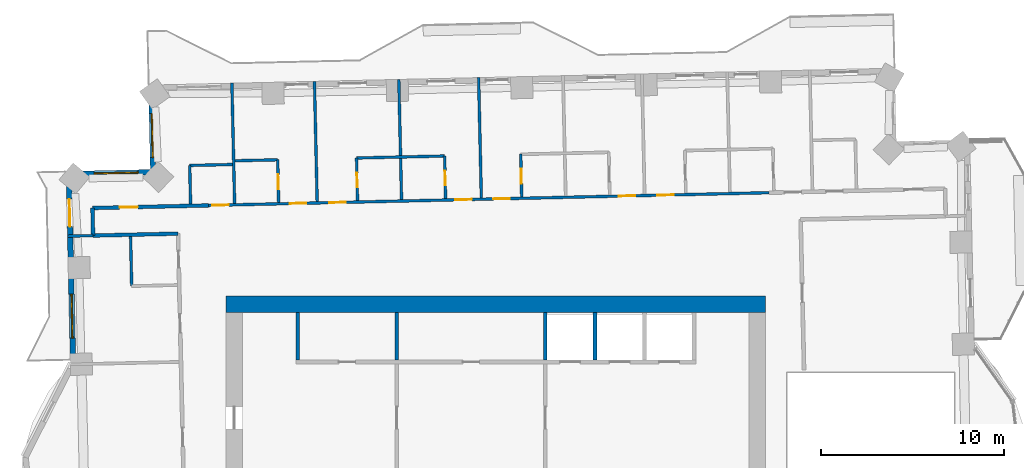
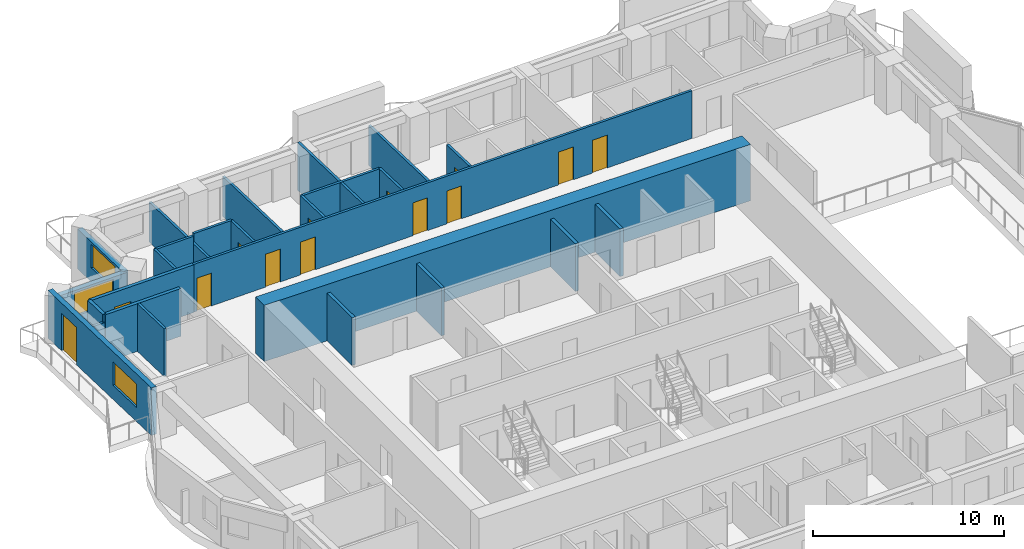
# One storey, part 10 of 16: 26 walls, 13 doors, 3 windows, 16 openings.
"""IFC4 building model written with IfcOpenShell, lengths in metres."""

from ifc_helpers import new_model, si_unit, direction, frame, frame_2d, origin, place, context, subcontext, project, spatial, rectangle, extrude, material, layer, layer_set, type_object, element, fill, save


model = new_model("IFC4")

# Units and contexts
model_context = context("Model", 3, precision=1e-05, world=origin(), true_north=direction((0.0, 1.0)))
body_context = subcontext(model_context, "Body", "Model", "MODEL_VIEW")
ifc_project = project(units=[si_unit("LENGTHUNIT", "METRE"), si_unit("AREAUNIT", "SQUARE_METRE"), si_unit("VOLUMEUNIT", "CUBIC_METRE"), si_unit("PLANEANGLEUNIT", "RADIAN"), si_unit("MASSUNIT", "GRAM", prefix="KILO")], contexts=[model_context])

# Site, building, storey
site_placement = place(None, origin())
site = spatial("IfcSite", under=ifc_project, at=site_placement, CompositionType="ELEMENT")
building_placement = place(site_placement, origin())
building = spatial("IfcBuilding", under=site, at=building_placement, Name="Mangrove Gate Tower", CompositionType="ELEMENT")
storey_placement = place(building_placement, frame((0.0, 0.0, 178.89990234375)))
storey = spatial("IfcBuildingStorey", under=building, at=storey_placement, Name="L45", CompositionType="ELEMENT", Elevation=178.89990234375)

# Walls
ifc_material_1 = material(Name="Concrete C32/40", Category="concrete")
ifc_layer_1 = layer(ifc_material_1, 0.199951171875)
ifc_layer_set_1 = layer_set([ifc_layer_1], Name="Core room wall 200 C32/40")
wall_type_1 = type_object("IfcWallType", Name="Core room wall 200 C32/40", PredefinedType="STANDARD", material=ifc_layer_set_1)
for number, where, z_axis, x_axis, name in (
    (1, (-10.800048828125, 8.199951171875, 0.0), (0.0, 0.0, 1.0), (0.0, 1.0, 0.0), "WALL-L45-CORE-25"),
    (2, (-5.39990234375, 8.199951171875, 0.0), (0.0, 0.0, 1.0), (0.0, 1.0, 0.0), "WALL-L45-CORE-26"),
):
    element("IfcWall", number, at=place(storey_placement, frame(where, z_axis=z_axis, x_axis=x_axis)), inside=storey, type_object=wall_type_1, Name=name, PredefinedType="STANDARD", context=body_context, shape_type="SweptSolid", body=[
        extrude(rectangle(XDim=2.60009765625, YDim=0.199951171875, at=frame_2d((1.300048828125, 0.0))), origin(), (0.0, 0.0, 1.0), 3.050048828125),
    ])
ifc_material_2 = material(Name="Concrete C60/75", Category="concrete")
ifc_layer_2 = layer(ifc_material_2, 0.199951171875)
ifc_layer_set_2 = layer_set([ifc_layer_2], Name="Core shaft wall 200 C60/75")
wall_type_2 = type_object("IfcWallType", Name="Core shaft wall 200 C60/75", PredefinedType="SHEAR", material=ifc_layer_set_2)
for number, where, z_axis, x_axis, name in (
    (3, (2.699951171875, 8.199951171875, 0.0), (0.0, 0.0, 1.0), (0.0, 1.0, 0.0), "WALL-L45-CORE-27"),
    (4, (5.39990234375, 8.199951171875, 0.0), (0.0, 0.0, 1.0), (0.0, 1.0, 0.0), "WALL-L45-CORE-28"),
):
    element("IfcWall", number, at=place(storey_placement, frame(where, z_axis=z_axis, x_axis=x_axis)), inside=storey, type_object=wall_type_2, Name=name, PredefinedType="SHEAR", context=body_context, shape_type="SweptSolid", body=[
        extrude(rectangle(XDim=2.60009765625, YDim=0.199951171875, at=frame_2d((1.300048828125, 0.0))), origin(), (0.0, 0.0, 1.0), 3.050048828125),
    ])
ifc_material_3 = material(Name="Concrete C60/75", Category="concrete")
ifc_layer_3 = layer(ifc_material_3, 0.89990234375)
ifc_layer_set_3 = layer_set([ifc_layer_3], Name="Core wall 900 C60/75")
wall_type_3 = type_object("IfcWallType", Name="Core wall 900 C60/75", PredefinedType="SHEAR", material=ifc_layer_set_3)
wall_1_placement = place(storey_placement, frame((-14.699951171875, 11.25, 0.0), z_axis=(0.0, 0.0, 1.0), x_axis=(1.0, 0.0, 0.0)))
element("IfcWall", 5, at=wall_1_placement, inside=storey, type_object=wall_type_3, Name="WALL-L45-CORE-2", PredefinedType="SHEAR", context=body_context, shape_type="SweptSolid", body=[
    extrude(rectangle(XDim=29.39990234375, YDim=0.89990234375, at=frame_2d((14.699951171875, 0.0))), origin(), (0.0, 0.0, 1.0), 3.60009765625),
])
ifc_material_4 = material(Name="Gypsum board on steel stud, EI 60", Category="steel")
ifc_layer_4 = layer(ifc_material_4, 0.199951171875)
ifc_layer_set_4 = layer_set([ifc_layer_4], Name="Corridor wall EI 60")
wall_type_4 = type_object("IfcWallType", Name="Corridor wall EI 60", PredefinedType="PARTITIONING", material=ifc_layer_set_4)
wall_2_placement = place(storey_placement, frame((-21.948974609375, 14.989013671875, 0.0), z_axis=(0.0, 0.0, 1.0), x_axis=(0.999743491588, 0.022648422179, 0.0)))
element("IfcWall", 6, at=wall_2_placement, inside=storey, type_object=wall_type_4, Name="WALL-L45-043", PredefinedType="PARTITIONING", context=body_context, shape_type="SweptSolid", body=[
    extrude(rectangle(XDim=4.63525390625, YDim=0.199951171875, at=frame_2d((2.317626953125, 0.0))), origin(), (0.0, 0.0, 1.0), 3.050048828125),
])
wall_3_placement = place(storey_placement, frame((-21.948974609375, 14.992919921875, 0.0), z_axis=(0.0, 0.0, 1.0), x_axis=(-0.022617910375, 0.999744182344, 0.0)))
element("IfcWall", 7, at=wall_3_placement, inside=storey, type_object=wall_type_4, Name="WALL-L45-046", PredefinedType="PARTITIONING", context=body_context, shape_type="SweptSolid", body=[
    extrude(rectangle(XDim=1.50048828125, YDim=0.199951171875, at=frame_2d((0.750244140625, 0.0))), origin(), (0.0, 0.0, 1.0), 3.050048828125),
])

# Wall, opening, door
wall_4_placement = place(storey_placement, frame((-21.98291015625, 16.489013671875, 0.0), z_axis=(0.0, 0.0, 1.0), x_axis=(0.999744930163, 0.022584831499, 0.0)))
wall_4 = element("IfcWall", 8, at=wall_4_placement, inside=storey, type_object=wall_type_4, Name="WALL-L45-048", PredefinedType="PARTITIONING", context=body_context, shape_type="SweptSolid", body=[
    extrude(rectangle(XDim=6.334716796875, YDim=0.199951171875, at=frame_2d((3.16748046875, 0.0))), origin(), (0.0, 0.0, 1.0), 3.050048828125),
])
opening_1_placement = place(wall_4_placement, frame((1.47509765625, 0.0, 0.0)))
opening_1 = element("IfcOpeningElement", 9, at=opening_1_placement, cuts=wall_4, Name="Opening AD", PredefinedType="OPENING", context=body_context, shape_type="SweptSolid", body=[
    extrude(rectangle(XDim=1.0, YDim=2.10009765625, at=frame_2d((0.5, 1.050048828125))), frame((0.0, 0.10986328125, 0.0), z_axis=(0.0, -1.0, 0.0), x_axis=(1.0, 0.0, 0.0)), (0.0, 0.0, 1.0), 0.219970703125),
])
ifc_material_5 = material(Name="Timber door leaf", Category="wood")
door_type_1 = type_object("IfcDoorType", Name="Amenity door 1000", OperationType="SINGLE_SWING_LEFT", PredefinedType="DOOR", material=ifc_material_5)
door_1_placement = place(opening_1_placement, origin())
door_1 = element("IfcDoor", 10, at=door_1_placement, inside=storey, type_object=door_type_1, Name="DOOR-L45-KIT-c5a", OperationType="SINGLE_SWING_RIGHT", OverallHeight=2.10009765625, OverallWidth=1.0, PredefinedType="DOOR", context=body_context, shape_type="SweptSolid", body=[
    extrude(rectangle(XDim=1.0, YDim=2.10009765625, at=frame_2d((0.5, 1.050048828125))), frame((0.0, 0.02490234375, 0.0), z_axis=(0.0, -1.0, 0.0), x_axis=(1.0, 0.0, 0.0)), (0.0, 0.0, 1.0), 0.050048828125),
])
fill(opening_1, door_1)

# Wall, opening, window
ifc_material_6 = material(Name="Limestone", Category="masonry")
ifc_layer_5 = layer(ifc_material_6, 0.0400390625, Name="Limestone cladding")
ifc_material_7 = material(Name="Ventilated air gap")
ifc_layer_6 = layer(ifc_material_7, 0.0400390625, Name="Ventilated cavity")
ifc_material_8 = material(Name="Mineral wool insulation")
ifc_layer_7 = layer(ifc_material_8, 0.06005859375, Name="Insulation")
ifc_material_9 = material(Name="Breather membrane")
ifc_layer_8 = layer(ifc_material_9, 0.001953125, Name="Breather membrane")
ifc_material_10 = material(Name="Concrete C20/25 blockwork", Category="masonry")
ifc_layer_9 = layer(ifc_material_10, 0.14990234375, Name="Blockwork backing wall")
ifc_material_11 = material(Name="Gypsum plaster")
ifc_layer_10 = layer(ifc_material_11, 0.008056640625, Name="Internal plaster")
ifc_layer_set_5 = layer_set([ifc_layer_5, ifc_layer_6, ifc_layer_7, ifc_layer_8, ifc_layer_9, ifc_layer_10], Name="External wall 300 limestone cladding")
wall_type_5 = type_object("IfcWallType", Name="External wall 300 limestone cladding", PredefinedType="SOLIDWALL", material=ifc_layer_set_5)
wall_5_placement = place(storey_placement, frame((-18.781005859375, 23.04296875, 0.0), z_axis=(0.0, 0.0, 1.0), x_axis=(0.022821468877, -0.999739556364, 0.0)))
wall_5 = element("IfcWall", 11, at=wall_5_placement, inside=storey, type_object=wall_type_5, Name="WALL-L45-W6", PredefinedType="SOLIDWALL", context=body_context, shape_type="SweptSolid", body=[
    extrude(rectangle(XDim=4.60009765625, YDim=0.300048828125, at=frame_2d((2.300048828125, 0.0))), origin(), (0.0, 0.0, 1.0), 2.550048828125),
])
opening_2_placement = place(wall_5_placement, frame((1.403076171875, 0.0, 0.89990234375)))
opening_2 = element("IfcOpeningElement", 12, at=opening_2_placement, cuts=wall_5, Name="Opening W2", PredefinedType="OPENING", context=body_context, shape_type="SweptSolid", body=[
    extrude(rectangle(XDim=2.39990234375, YDim=1.5, at=frame_2d((1.199951171875, 0.75))), frame((0.0, 0.159912109375, 0.0), z_axis=(0.0, -1.0, 0.0), x_axis=(1.0, 0.0, 0.0)), (0.0, 0.0, 1.0), 0.320068359375),
])
ifc_material_12 = material(Name="Aluminium frame with double-glazed low-e glass", Category="aluminium")
window_type = type_object("IfcWindowType", Name="Corner room window 2400x1500", PartitioningType="DOUBLE_PANEL_VERTICAL", PredefinedType="WINDOW", material=ifc_material_12)
window_1_placement = place(opening_2_placement, origin())
window_1 = element("IfcWindow", 13, at=window_1_placement, inside=storey, type_object=window_type, Name="WIN-L45-W6-1", OverallHeight=1.5, OverallWidth=2.39990234375, PartitioningType="DOUBLE_PANEL_VERTICAL", PredefinedType="WINDOW", context=body_context, shape_type="SweptSolid", body=[
    extrude(rectangle(XDim=2.39990234375, YDim=1.5, at=frame_2d((1.199951171875, 0.75))), frame((0.0, 0.030029296875, 0.0), z_axis=(0.0, -1.0, 0.0), x_axis=(1.0, 0.0, 0.0)), (0.0, 0.0, 1.0), 0.06005859375),
])
fill(opening_2, window_1)

wall_6_placement = place(storey_placement, frame((-18.676025390625, 18.444091796875, 0.0), z_axis=(0.0, 0.0, 1.0), x_axis=(-0.999744377441, -0.022609285172, 0.0)))
wall_6 = element("IfcWall", 14, at=wall_6_placement, inside=storey, type_object=wall_type_5, Name="WALL-L45-N7", PredefinedType="SOLIDWALL", context=body_context, shape_type="SweptSolid", body=[
    extrude(rectangle(XDim=4.60009765625, YDim=0.300048828125, at=frame_2d((2.300048828125, 0.0))), origin(), (0.0, 0.0, 1.0), 2.550048828125),
])
opening_3_placement = place(wall_6_placement, frame((0.81298828125, 0.0, 0.89990234375)))
opening_3 = element("IfcOpeningElement", 15, at=opening_3_placement, cuts=wall_6, Name="Opening W2", PredefinedType="OPENING", context=body_context, shape_type="SweptSolid", body=[
    extrude(rectangle(XDim=2.39990234375, YDim=1.5, at=frame_2d((1.199951171875, 0.75))), frame((0.0, 0.159912109375, 0.0), z_axis=(0.0, -1.0, 0.0), x_axis=(1.0, 0.0, 0.0)), (0.0, 0.0, 1.0), 0.320068359375),
])
window_2_placement = place(opening_3_placement, origin())
window_2 = element("IfcWindow", 16, at=window_2_placement, inside=storey, type_object=window_type, Name="WIN-L45-N7-1", OverallHeight=1.5, OverallWidth=2.39990234375, PartitioningType="DOUBLE_PANEL_VERTICAL", PredefinedType="WINDOW", context=body_context, shape_type="SweptSolid", body=[
    extrude(rectangle(XDim=2.39990234375, YDim=1.5, at=frame_2d((1.199951171875, 0.75))), frame((0.0, 0.030029296875, 0.0), z_axis=(0.0, -1.0, 0.0), x_axis=(1.0, 0.0, 0.0)), (0.0, 0.0, 1.0), 0.06005859375),
])
fill(opening_3, window_2)

# Wall, openings, door, window
wall_7_placement = place(storey_placement, frame((-23.27490234375, 18.340087890625, 0.0), z_axis=(0.0, 0.0, 1.0), x_axis=(0.022705985163, -0.999742185885, 0.0)))
wall_7 = element("IfcWall", 17, at=wall_7_placement, inside=storey, type_object=wall_type_5, Name="WALL-L45-W8", PredefinedType="SOLIDWALL", context=body_context, shape_type="SweptSolid", body=[
    extrude(rectangle(XDim=10.4296875, YDim=0.300048828125, at=frame_2d((5.21484375, 0.0))), origin(), (0.0, 0.0, 1.0), 3.050048828125),
])
opening_4_placement = place(wall_7_placement, frame((1.35888671875, 0.0, 0.0)))
opening_4 = element("IfcOpeningElement", 18, at=opening_4_placement, cuts=wall_7, Name="Opening BD1", PredefinedType="OPENING", context=body_context, shape_type="SweptSolid", body=[
    extrude(rectangle(XDim=1.5, YDim=2.39990234375, at=frame_2d((0.75, 1.199951171875))), frame((0.0, 0.159912109375, 0.0), z_axis=(0.0, -1.0, 0.0), x_axis=(1.0, 0.0, 0.0)), (0.0, 0.0, 1.0), 0.320068359375),
])
opening_5_placement = place(wall_7_placement, frame((6.54296875, 0.0, 0.89990234375)))
opening_5 = element("IfcOpeningElement", 19, at=opening_5_placement, cuts=wall_7, Name="Opening W2", PredefinedType="OPENING", context=body_context, shape_type="SweptSolid", body=[
    extrude(rectangle(XDim=2.39990234375, YDim=1.5, at=frame_2d((1.199951171875, 0.75))), frame((0.0, 0.159912109375, 0.0), z_axis=(0.0, -1.0, 0.0), x_axis=(1.0, 0.0, 0.0)), (0.0, 0.0, 1.0), 0.320068359375),
])
ifc_material_13 = material(Name="Aluminium frame with laminated clear glass", Category="aluminium")
door_type_2 = type_object("IfcDoorType", Name="Balcony sliding door 1500x2400", OperationType="SLIDING_TO_LEFT", PredefinedType="DOOR", material=ifc_material_13)
door_2_placement = place(opening_4_placement, origin())
door_2 = element("IfcDoor", 20, at=door_2_placement, inside=storey, type_object=door_type_2, Name="DOOR-L45-W8-1", OperationType="SLIDING_TO_LEFT", OverallHeight=2.39990234375, OverallWidth=1.5, PredefinedType="DOOR", context=body_context, shape_type="SweptSolid", body=[
    extrude(rectangle(XDim=1.5, YDim=2.39990234375, at=frame_2d((0.75, 1.199951171875))), frame((0.0, 0.02490234375, 0.0), z_axis=(0.0, -1.0, 0.0), x_axis=(1.0, 0.0, 0.0)), (0.0, 0.0, 1.0), 0.050048828125),
])
fill(opening_4, door_2)
window_3_placement = place(opening_5_placement, origin())
window_3 = element("IfcWindow", 21, at=window_3_placement, inside=storey, type_object=window_type, Name="WIN-L45-W8-2", OverallHeight=1.5, OverallWidth=2.39990234375, PartitioningType="DOUBLE_PANEL_VERTICAL", PredefinedType="WINDOW", context=body_context, shape_type="SweptSolid", body=[
    extrude(rectangle(XDim=2.39990234375, YDim=1.5, at=frame_2d((1.199951171875, 0.75))), frame((0.0, 0.030029296875, 0.0), z_axis=(0.0, -1.0, 0.0), x_axis=(1.0, 0.0, 0.0)), (0.0, 0.0, 1.0), 0.06005859375),
])
fill(opening_5, window_3)

# Walls
ifc_material_14 = material(Name="Gypsum board on steel stud, EI 60", Category="steel")
ifc_layer_11 = layer(ifc_material_14, 0.14990234375)
ifc_layer_set_6 = layer_set([ifc_layer_11], Name="Party wall 150 EI 60")
wall_type_6 = type_object("IfcWallType", Name="Party wall 150 EI 60", PredefinedType="PARTITIONING", material=ifc_layer_set_6)
wall_8_placement = place(storey_placement, frame((-19.845947265625, 12.239990234375, 0.0), z_axis=(0.0, 0.0, 1.0), x_axis=(-0.02260842146, 0.999744396973, 0.0)))
element("IfcWall", 22, at=wall_8_placement, inside=storey, type_object=wall_type_6, Name="WALL-L45-041", PredefinedType="PARTITIONING", context=body_context, shape_type="SweptSolid", body=[
    extrude(rectangle(XDim=2.69970703125, YDim=0.14990234375, at=frame_2d((1.349853515625, 0.0))), origin(), (0.0, 0.0, 1.0), 3.050048828125),
])
wall_9_placement = place(storey_placement, frame((-23.347900390625, 14.95703125, 0.0), z_axis=(0.0, 0.0, 1.0), x_axis=(0.999740216184, 0.022792545827, 0.0)))
element("IfcWall", 23, at=wall_9_placement, inside=storey, type_object=wall_type_6, Name="WALL-L45-042", PredefinedType="PARTITIONING", context=body_context, shape_type="SweptSolid", body=[
    extrude(rectangle(XDim=1.403076171875, YDim=0.14990234375, at=frame_2d((0.70166015625, 0.0))), origin(), (0.0, 0.0, 1.0), 2.550048828125),
])

# Wall, openings, doors
wall_10_placement = place(storey_placement, frame((-15.64892578125, 16.633056640625, 0.0), z_axis=(0.0, 0.0, 1.0), x_axis=(0.999743261737, 0.022658565952, 0.0)))
wall_10 = element("IfcWall", 24, at=wall_10_placement, inside=storey, type_object=wall_type_6, Name="WALL-L45-049", PredefinedType="PARTITIONING", context=body_context, shape_type="SweptSolid", body=[
    extrude(rectangle(XDim=30.53564453125, YDim=0.14990234375, at=frame_2d((15.267822265625, 0.0))), origin(), (0.0, 0.0, 1.0), 3.050048828125),
])
opening_6_placement = place(wall_10_placement, frame((24.43994140625, 0.0, 0.0)))
opening_6 = element("IfcOpeningElement", 25, at=opening_6_placement, cuts=wall_10, Name="Opening BD", PredefinedType="OPENING", context=body_context, shape_type="SweptSolid", body=[
    extrude(rectangle(XDim=0.89990234375, YDim=2.10009765625, at=frame_2d((0.449951171875, 1.050048828125))), frame((0.0, 0.0849609375, 0.0), z_axis=(0.0, -1.0, 0.0), x_axis=(1.0, 0.0, 0.0)), (0.0, 0.0, 1.0), 0.169921875),
])
opening_7_placement = place(wall_10_placement, frame((22.364990234375, 0.0, 0.0)))
opening_7 = element("IfcOpeningElement", 26, at=opening_7_placement, cuts=wall_10, Name="Opening BD", PredefinedType="OPENING", context=body_context, shape_type="SweptSolid", body=[
    extrude(rectangle(XDim=0.89990234375, YDim=2.10009765625, at=frame_2d((0.449951171875, 1.050048828125))), frame((0.0, 0.0849609375, 0.0), z_axis=(0.0, -1.0, 0.0), x_axis=(1.0, 0.0, 0.0)), (0.0, 0.0, 1.0), 0.169921875),
])
opening_8_placement = place(wall_10_placement, frame((15.514892578125, 0.0, 0.0)))
opening_8 = element("IfcOpeningElement", 27, at=opening_8_placement, cuts=wall_10, Name="Opening BD", PredefinedType="OPENING", context=body_context, shape_type="SweptSolid", body=[
    extrude(rectangle(XDim=0.89990234375, YDim=2.10009765625, at=frame_2d((0.449951171875, 1.050048828125))), frame((0.0, 0.0849609375, 0.0), z_axis=(0.0, -1.0, 0.0), x_axis=(1.0, 0.0, 0.0)), (0.0, 0.0, 1.0), 0.169921875),
])
opening_9_placement = place(wall_10_placement, frame((13.43994140625, 0.0, 0.0)))
opening_9 = element("IfcOpeningElement", 28, at=opening_9_placement, cuts=wall_10, Name="Opening BD", PredefinedType="OPENING", context=body_context, shape_type="SweptSolid", body=[
    extrude(rectangle(XDim=0.89990234375, YDim=2.10009765625, at=frame_2d((0.449951171875, 1.050048828125))), frame((0.0, 0.0849609375, 0.0), z_axis=(0.0, -1.0, 0.0), x_axis=(1.0, 0.0, 0.0)), (0.0, 0.0, 1.0), 0.169921875),
])
opening_10_placement = place(wall_10_placement, frame((6.56494140625, 0.0, 0.0)))
opening_10 = element("IfcOpeningElement", 29, at=opening_10_placement, cuts=wall_10, Name="Opening BD", PredefinedType="OPENING", context=body_context, shape_type="SweptSolid", body=[
    extrude(rectangle(XDim=0.89990234375, YDim=2.10009765625, at=frame_2d((0.449951171875, 1.050048828125))), frame((0.0, 0.0849609375, 0.0), z_axis=(0.0, -1.0, 0.0), x_axis=(1.0, 0.0, 0.0)), (0.0, 0.0, 1.0), 0.169921875),
])
opening_11_placement = place(wall_10_placement, frame((4.4150390625, 0.0, 0.0)))
opening_11 = element("IfcOpeningElement", 30, at=opening_11_placement, cuts=wall_10, Name="Opening BD", PredefinedType="OPENING", context=body_context, shape_type="SweptSolid", body=[
    extrude(rectangle(XDim=0.89990234375, YDim=2.10009765625, at=frame_2d((0.449951171875, 1.050048828125))), frame((0.0, 0.0849609375, 0.0), z_axis=(0.0, -1.0, 0.0), x_axis=(1.0, 0.0, 0.0)), (0.0, 0.0, 1.0), 0.169921875),
])
opening_12_placement = place(wall_10_placement, frame((0.199951171875, 0.0, 0.0)))
opening_12 = element("IfcOpeningElement", 31, at=opening_12_placement, cuts=wall_10, Name="Opening SD", PredefinedType="OPENING", context=body_context, shape_type="SweptSolid", body=[
    extrude(rectangle(XDim=0.89990234375, YDim=2.10009765625, at=frame_2d((0.449951171875, 1.050048828125))), frame((0.0, 0.0849609375, 0.0), z_axis=(0.0, -1.0, 0.0), x_axis=(1.0, 0.0, 0.0)), (0.0, 0.0, 1.0), 0.169921875),
])
ifc_material_15 = material(Name="Timber door leaf", Category="wood")
door_type_3 = type_object("IfcDoorType", Name="Bedroom door 900", OperationType="SINGLE_SWING_LEFT", PredefinedType="DOOR", material=ifc_material_15)
door_3_placement = place(opening_6_placement, origin())
door_3 = element("IfcDoor", 32, at=door_3_placement, inside=storey, type_object=door_type_3, Name="DOOR-L45-BED-c309", OperationType="SINGLE_SWING_LEFT", OverallHeight=2.10009765625, OverallWidth=0.89990234375, PredefinedType="DOOR", context=body_context, shape_type="SweptSolid", body=[
    extrude(rectangle(XDim=0.89990234375, YDim=2.10009765625, at=frame_2d((0.449951171875, 1.050048828125))), frame((0.0, 0.02490234375, 0.0), z_axis=(0.0, -1.0, 0.0), x_axis=(1.0, 0.0, 0.0)), (0.0, 0.0, 1.0), 0.050048828125),
])
fill(opening_6, door_3)
door_4_placement = place(opening_7_placement, origin())
door_4 = element("IfcDoor", 33, at=door_4_placement, inside=storey, type_object=door_type_3, Name="DOOR-L45-BED-c410", OperationType="SINGLE_SWING_RIGHT", OverallHeight=2.10009765625, OverallWidth=0.89990234375, PredefinedType="DOOR", context=body_context, shape_type="SweptSolid", body=[
    extrude(rectangle(XDim=0.89990234375, YDim=2.10009765625, at=frame_2d((0.449951171875, 1.050048828125))), frame((0.0, 0.02490234375, 0.0), z_axis=(0.0, -1.0, 0.0), x_axis=(1.0, 0.0, 0.0)), (0.0, 0.0, 1.0), 0.050048828125),
])
fill(opening_7, door_4)
door_5_placement = place(opening_8_placement, origin())
door_5 = element("IfcDoor", 34, at=door_5_placement, inside=storey, type_object=door_type_3, Name="DOOR-L45-BED-c411", OperationType="SINGLE_SWING_LEFT", OverallHeight=2.10009765625, OverallWidth=0.89990234375, PredefinedType="DOOR", context=body_context, shape_type="SweptSolid", body=[
    extrude(rectangle(XDim=0.89990234375, YDim=2.10009765625, at=frame_2d((0.449951171875, 1.050048828125))), frame((0.0, 0.02490234375, 0.0), z_axis=(0.0, -1.0, 0.0), x_axis=(1.0, 0.0, 0.0)), (0.0, 0.0, 1.0), 0.050048828125),
])
fill(opening_8, door_5)
door_6_placement = place(opening_9_placement, origin())
door_6 = element("IfcDoor", 35, at=door_6_placement, inside=storey, type_object=door_type_3, Name="DOOR-L45-BED-c412", OperationType="SINGLE_SWING_RIGHT", OverallHeight=2.10009765625, OverallWidth=0.89990234375, PredefinedType="DOOR", context=body_context, shape_type="SweptSolid", body=[
    extrude(rectangle(XDim=0.89990234375, YDim=2.10009765625, at=frame_2d((0.449951171875, 1.050048828125))), frame((0.0, 0.02490234375, 0.0), z_axis=(0.0, -1.0, 0.0), x_axis=(1.0, 0.0, 0.0)), (0.0, 0.0, 1.0), 0.050048828125),
])
fill(opening_9, door_6)
door_7_placement = place(opening_10_placement, origin())
door_7 = element("IfcDoor", 36, at=door_7_placement, inside=storey, type_object=door_type_3, Name="DOOR-L45-BED-c513", OperationType="SINGLE_SWING_LEFT", OverallHeight=2.10009765625, OverallWidth=0.89990234375, PredefinedType="DOOR", context=body_context, shape_type="SweptSolid", body=[
    extrude(rectangle(XDim=0.89990234375, YDim=2.10009765625, at=frame_2d((0.449951171875, 1.050048828125))), frame((0.0, 0.02490234375, 0.0), z_axis=(0.0, -1.0, 0.0), x_axis=(1.0, 0.0, 0.0)), (0.0, 0.0, 1.0), 0.050048828125),
])
fill(opening_10, door_7)
door_8_placement = place(opening_11_placement, origin())
door_8 = element("IfcDoor", 37, at=door_8_placement, inside=storey, type_object=door_type_3, Name="DOOR-L45-BED-c514", OperationType="SINGLE_SWING_RIGHT", OverallHeight=2.10009765625, OverallWidth=0.89990234375, PredefinedType="DOOR", context=body_context, shape_type="SweptSolid", body=[
    extrude(rectangle(XDim=0.89990234375, YDim=2.10009765625, at=frame_2d((0.449951171875, 1.050048828125))), frame((0.0, 0.02490234375, 0.0), z_axis=(0.0, -1.0, 0.0), x_axis=(1.0, 0.0, 0.0)), (0.0, 0.0, 1.0), 0.050048828125),
])
fill(opening_11, door_8)
ifc_material_16 = material(Name="Timber door leaf", Category="wood")
door_type_4 = type_object("IfcDoorType", Name="Service room door 900", OperationType="SINGLE_SWING_LEFT", PredefinedType="DOOR", material=ifc_material_16)
door_9_placement = place(opening_12_placement, origin())
door_9 = element("IfcDoor", 38, at=door_9_placement, inside=storey, type_object=door_type_4, Name="DOOR-L45-LIN-c5a", OperationType="SINGLE_SWING_RIGHT", OverallHeight=2.10009765625, OverallWidth=0.89990234375, PredefinedType="DOOR", context=body_context, shape_type="SweptSolid", body=[
    extrude(rectangle(XDim=0.89990234375, YDim=2.10009765625, at=frame_2d((0.449951171875, 1.050048828125))), frame((0.0, 0.02490234375, 0.0), z_axis=(0.0, -1.0, 0.0), x_axis=(1.0, 0.0, 0.0)), (0.0, 0.0, 1.0), 0.050048828125),
])
fill(opening_12, door_9)

# Walls
wall_11_placement = place(storey_placement, frame((-16.635986328125, 16.714111328125, 0.0), z_axis=(0.0, 0.0, 1.0), x_axis=(-0.022898307927, 0.999737799372, 0.0)))
element("IfcWall", 39, at=wall_11_placement, inside=storey, type_object=wall_type_6, Name="WALL-L45-051", PredefinedType="PARTITIONING", context=body_context, shape_type="SweptSolid", body=[
    extrude(rectangle(XDim=2.100341796875, YDim=0.14990234375, at=frame_2d((1.05029296875, 0.0))), origin(), (0.0, 0.0, 1.0), 3.050048828125),
])
wall_12_placement = place(storey_placement, frame((-14.237060546875, 16.743896484375, 0.0), z_axis=(0.0, 0.0, 1.0), x_axis=(-0.022585104341, 0.999744923999, 0.0)))
element("IfcWall", 40, at=wall_12_placement, inside=storey, type_object=wall_type_6, Name="WALL-L45-052", PredefinedType="PARTITIONING", context=body_context, shape_type="SweptSolid", body=[
    extrude(rectangle(XDim=6.55078125, YDim=0.14990234375, at=frame_2d((3.275390625, 0.0))), origin(), (0.0, 0.0, 1.0), 2.550048828125),
])

# Wall, opening, door
wall_13_placement = place(storey_placement, frame((-11.8369140625, 16.798095703125, 0.0), z_axis=(0.0, 0.0, 1.0), x_axis=(-0.02279059109, 0.999740260747, 0.0)))
wall_13 = element("IfcWall", 41, at=wall_13_placement, inside=storey, type_object=wall_type_6, Name="WALL-L45-053", PredefinedType="PARTITIONING", context=body_context, shape_type="SweptSolid", body=[
    extrude(rectangle(XDim=2.324462890625, YDim=0.14990234375, at=frame_2d((1.162109375, 0.0))), origin(), (0.0, 0.0, 1.0), 3.050048828125),
])
opening_13_placement = place(wall_13_placement, frame((0.72509765625, 0.0, 0.0)))
opening_13 = element("IfcOpeningElement", 42, at=opening_13_placement, cuts=wall_13, Name="Opening ED", PredefinedType="OPENING", context=body_context, shape_type="SweptSolid", body=[
    extrude(rectangle(XDim=0.800048828125, YDim=2.10009765625, at=frame_2d((0.39990234375, 1.050048828125))), frame((0.0, 0.0849609375, 0.0), z_axis=(0.0, -1.0, 0.0), x_axis=(1.0, 0.0, 0.0)), (0.0, 0.0, 1.0), 0.169921875),
])
ifc_material_17 = material(Name="Timber door leaf", Category="wood")
door_type_5 = type_object("IfcDoorType", Name="En-suite door 800", OperationType="SINGLE_SWING_LEFT", PredefinedType="DOOR", material=ifc_material_17)
door_10_placement = place(opening_13_placement, origin())
door_10 = element("IfcDoor", 43, at=door_10_placement, inside=storey, type_object=door_type_5, Name="DOOR-L45-ENS-c514", OperationType="SINGLE_SWING_RIGHT", OverallHeight=2.10009765625, OverallWidth=0.800048828125, PredefinedType="DOOR", context=body_context, shape_type="SweptSolid", body=[
    extrude(rectangle(XDim=0.800048828125, YDim=2.10009765625, at=frame_2d((0.39990234375, 1.050048828125))), frame((0.0, 0.02490234375, 0.0), z_axis=(0.0, -1.0, 0.0), x_axis=(1.0, 0.0, 0.0)), (0.0, 0.0, 1.0), 0.050048828125),
])
fill(opening_13, door_10)

# Wall
wall_14_placement = place(storey_placement, frame((-9.738037109375, 16.845947265625, 0.0), z_axis=(0.0, 0.0, 1.0), x_axis=(-0.022585104341, 0.999744923999, 0.0)))
element("IfcWall", 44, at=wall_14_placement, inside=storey, type_object=wall_type_6, Name="WALL-L45-054", PredefinedType="PARTITIONING", context=body_context, shape_type="SweptSolid", body=[
    extrude(rectangle(XDim=6.55078125, YDim=0.14990234375, at=frame_2d((3.275390625, 0.0))), origin(), (0.0, 0.0, 1.0), 2.550048828125),
])

# Wall, opening, door
wall_15_placement = place(storey_placement, frame((-7.5380859375, 16.89599609375, 0.0), z_axis=(0.0, 0.0, 1.0), x_axis=(-0.02279059109, 0.999740260747, 0.0)))
wall_15 = element("IfcWall", 45, at=wall_15_placement, inside=storey, type_object=wall_type_6, Name="WALL-L45-055", PredefinedType="PARTITIONING", context=body_context, shape_type="SweptSolid", body=[
    extrude(rectangle(XDim=2.324462890625, YDim=0.14990234375, at=frame_2d((1.162109375, 0.0))), origin(), (0.0, 0.0, 1.0), 3.050048828125),
])
opening_14_placement = place(wall_15_placement, frame((0.72509765625, 0.0, 0.0)))
opening_14 = element("IfcOpeningElement", 46, at=opening_14_placement, cuts=wall_15, Name="Opening ED", PredefinedType="OPENING", context=body_context, shape_type="SweptSolid", body=[
    extrude(rectangle(XDim=0.800048828125, YDim=2.10009765625, at=frame_2d((0.39990234375, 1.050048828125))), frame((0.0, 0.0849609375, 0.0), z_axis=(0.0, -1.0, 0.0), x_axis=(1.0, 0.0, 0.0)), (0.0, 0.0, 1.0), 0.169921875),
])
door_11_placement = place(opening_14_placement, origin())
door_11 = element("IfcDoor", 47, at=door_11_placement, inside=storey, type_object=door_type_5, Name="DOOR-L45-ENS-c513", OperationType="SINGLE_SWING_LEFT", OverallHeight=2.10009765625, OverallWidth=0.800048828125, PredefinedType="DOOR", context=body_context, shape_type="SweptSolid", body=[
    extrude(rectangle(XDim=0.800048828125, YDim=2.10009765625, at=frame_2d((0.39990234375, 1.050048828125))), frame((0.0, 0.02490234375, 0.0), z_axis=(0.0, -1.0, 0.0), x_axis=(1.0, 0.0, 0.0)), (0.0, 0.0, 1.0), 0.050048828125),
])
fill(opening_14, door_11)

# Wall
wall_16_placement = place(storey_placement, frame((-5.138916015625, 16.949951171875, 0.0), z_axis=(0.0, 0.0, 1.0), x_axis=(-0.022622354432, 0.999744081793, 0.0)))
element("IfcWall", 48, at=wall_16_placement, inside=storey, type_object=wall_type_6, Name="WALL-L45-056", PredefinedType="PARTITIONING", context=body_context, shape_type="SweptSolid", body=[
    extrude(rectangle(XDim=6.55078125, YDim=0.14990234375, at=frame_2d((3.275390625, 0.0))), origin(), (0.0, 0.0, 1.0), 3.050048828125),
])

# Wall, opening, door
wall_17_placement = place(storey_placement, frame((-2.739013671875, 17.0048828125, 0.0), z_axis=(0.0, 0.0, 1.0), x_axis=(-0.022788198363, 0.99974031529, 0.0)))
wall_17 = element("IfcWall", 49, at=wall_17_placement, inside=storey, type_object=wall_type_6, Name="WALL-L45-057", PredefinedType="PARTITIONING", context=body_context, shape_type="SweptSolid", body=[
    extrude(rectangle(XDim=2.32470703125, YDim=0.14990234375, at=frame_2d((1.162353515625, 0.0))), origin(), (0.0, 0.0, 1.0), 3.050048828125),
])
opening_15_placement = place(wall_17_placement, frame((0.72509765625, 0.0, 0.0)))
opening_15 = element("IfcOpeningElement", 50, at=opening_15_placement, cuts=wall_17, Name="Opening ED", PredefinedType="OPENING", context=body_context, shape_type="SweptSolid", body=[
    extrude(rectangle(XDim=0.800048828125, YDim=2.10009765625, at=frame_2d((0.39990234375, 1.050048828125))), frame((0.0, 0.0849609375, 0.0), z_axis=(0.0, -1.0, 0.0), x_axis=(1.0, 0.0, 0.0)), (0.0, 0.0, 1.0), 0.169921875),
])
door_12_placement = place(opening_15_placement, origin())
door_12 = element("IfcDoor", 51, at=door_12_placement, inside=storey, type_object=door_type_5, Name="DOOR-L45-ENS-c412", OperationType="SINGLE_SWING_RIGHT", OverallHeight=2.10009765625, OverallWidth=0.800048828125, PredefinedType="DOOR", context=body_context, shape_type="SweptSolid", body=[
    extrude(rectangle(XDim=0.800048828125, YDim=2.10009765625, at=frame_2d((0.39990234375, 1.050048828125))), frame((0.0, 0.02490234375, 0.0), z_axis=(0.0, -1.0, 0.0), x_axis=(1.0, 0.0, 0.0)), (0.0, 0.0, 1.0), 0.050048828125),
])
fill(opening_15, door_12)

# Wall
wall_18_placement = place(storey_placement, frame((-0.7900390625, 17.049072265625, 0.0), z_axis=(0.0, 0.0, 1.0), x_axis=(-0.022734951231, 0.999741527592, 0.0)))
element("IfcWall", 52, at=wall_18_placement, inside=storey, type_object=wall_type_6, Name="WALL-L45-058", PredefinedType="PARTITIONING", context=body_context, shape_type="SweptSolid", body=[
    extrude(rectangle(XDim=6.550537109375, YDim=0.14990234375, at=frame_2d((3.275390625, 0.0))), origin(), (0.0, 0.0, 1.0), 2.550048828125),
])

# Wall, opening, door
wall_19_placement = place(storey_placement, frame((1.408935546875, 17.09912109375, 0.0), z_axis=(0.0, 0.0, 1.0), x_axis=(-0.022370700241, 0.999749744571, 0.0)))
wall_19 = element("IfcWall", 53, at=wall_19_placement, inside=storey, type_object=wall_type_6, Name="WALL-L45-059", PredefinedType="PARTITIONING", context=body_context, shape_type="SweptSolid", body=[
    extrude(rectangle(XDim=2.324462890625, YDim=0.14990234375, at=frame_2d((1.162109375, 0.0))), origin(), (0.0, 0.0, 1.0), 3.050048828125),
])
opening_16_placement = place(wall_19_placement, frame((0.72509765625, 0.0, 0.0)))
opening_16 = element("IfcOpeningElement", 54, at=opening_16_placement, cuts=wall_19, Name="Opening ED", PredefinedType="OPENING", context=body_context, shape_type="SweptSolid", body=[
    extrude(rectangle(XDim=0.800048828125, YDim=2.10009765625, at=frame_2d((0.39990234375, 1.050048828125))), frame((0.0, 0.0849609375, 0.0), z_axis=(0.0, -1.0, 0.0), x_axis=(1.0, 0.0, 0.0)), (0.0, 0.0, 1.0), 0.169921875),
])
door_13_placement = place(opening_16_placement, origin())
door_13 = element("IfcDoor", 55, at=door_13_placement, inside=storey, type_object=door_type_5, Name="DOOR-L45-ENS-c411", OperationType="SINGLE_SWING_LEFT", OverallHeight=2.10009765625, OverallWidth=0.800048828125, PredefinedType="DOOR", context=body_context, shape_type="SweptSolid", body=[
    extrude(rectangle(XDim=0.800048828125, YDim=2.10009765625, at=frame_2d((0.39990234375, 1.050048828125))), frame((0.0, 0.02490234375, 0.0), z_axis=(0.0, -1.0, 0.0), x_axis=(1.0, 0.0, 0.0)), (0.0, 0.0, 1.0), 0.050048828125),
])
fill(opening_16, door_13)

# Walls
wall_20_placement = place(storey_placement, frame((-16.68408203125, 18.81005859375, 0.0), z_axis=(0.0, 0.0, 1.0), x_axis=(0.999749744571, 0.022370700241, 0.0)))
element("IfcWall", 56, at=wall_20_placement, inside=storey, type_object=wall_type_6, Name="WALL-L45-068", PredefinedType="PARTITIONING", context=body_context, shape_type="SweptSolid", body=[
    extrude(rectangle(XDim=2.324462890625, YDim=0.14990234375, at=frame_2d((1.162109375, 0.0))), origin(), (0.0, 0.0, 1.0), 3.050048828125),
])
wall_21_placement = place(storey_placement, frame((-14.214111328125, 19.06591796875, 0.0), z_axis=(0.0, 0.0, 1.0), x_axis=(0.999749797124, 0.022368351553, 0.0)))
element("IfcWall", 57, at=wall_21_placement, inside=storey, type_object=wall_type_6, Name="WALL-L45-069", PredefinedType="PARTITIONING", context=body_context, shape_type="SweptSolid", body=[
    extrude(rectangle(XDim=2.32470703125, YDim=0.14990234375, at=frame_2d((1.162353515625, 0.0))), origin(), (0.0, 0.0, 1.0), 3.050048828125),
])
wall_22_placement = place(storey_placement, frame((-7.591064453125, 19.216064453125, 0.0), z_axis=(0.0, 0.0, 1.0), x_axis=(0.999742701292, 0.022683280499, 0.0)))
element("IfcWall", 58, at=wall_22_placement, inside=storey, type_object=wall_type_6, Name="WALL-L45-070", PredefinedType="PARTITIONING", context=body_context, shape_type="SweptSolid", body=[
    extrude(rectangle(XDim=4.80029296875, YDim=0.14990234375, at=frame_2d((2.400146484375, 0.0))), origin(), (0.0, 0.0, 1.0), 3.050048828125),
])

save(model, "model.ifc")
